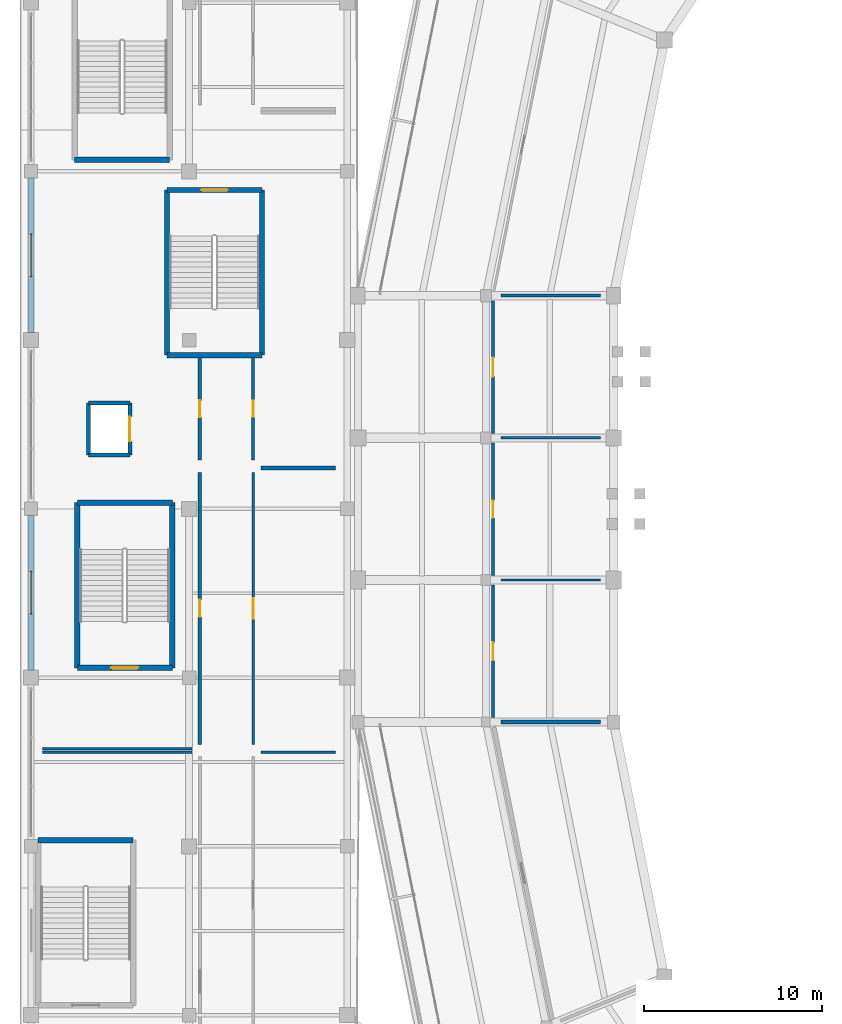
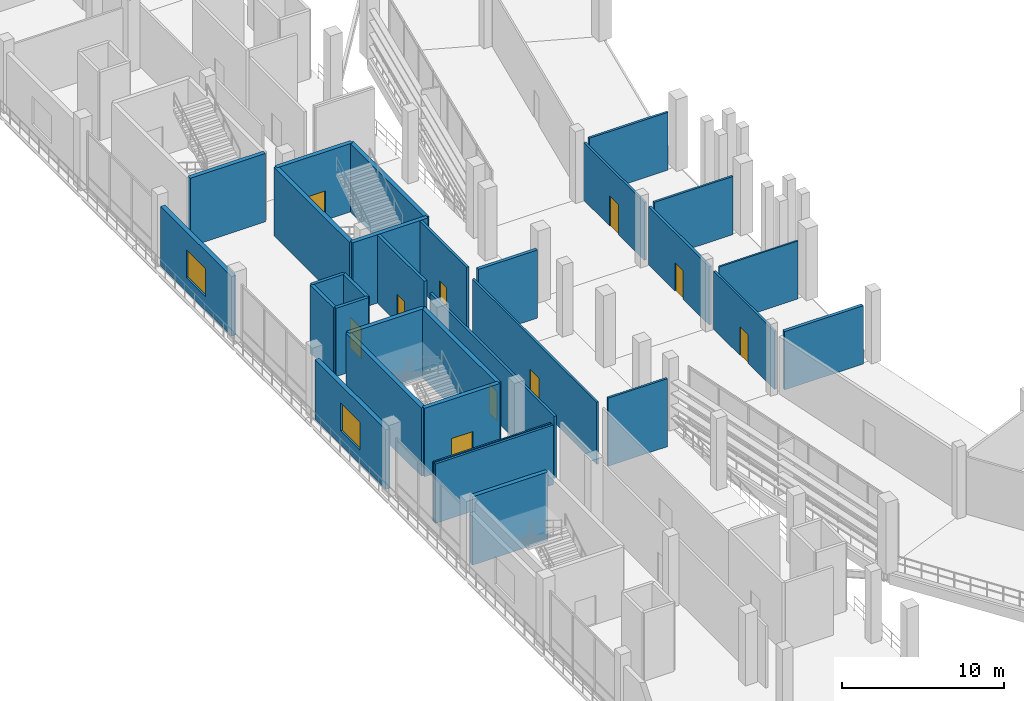
# One storey, part 74 of 114: 31 walls, 10 doors, 2 windows, 12 openings.
"""IFC4 building model written with IfcOpenShell, lengths in metres."""

from ifc_helpers import new_model, si_unit, direction, frame, frame_2d, origin, place, context, subcontext, project, spatial, rectangle, extrude, material, layer, layer_set, type_object, element, fill, save


model = new_model("IFC4")

# Units and contexts
model_context = context("Model", 3, precision=1e-05, world=origin(), true_north=direction((0.0, 1.0)))
body_context = subcontext(model_context, "Body", "Model", "MODEL_VIEW")
ifc_project = project(units=[si_unit("LENGTHUNIT", "METRE"), si_unit("AREAUNIT", "SQUARE_METRE"), si_unit("VOLUMEUNIT", "CUBIC_METRE"), si_unit("PLANEANGLEUNIT", "RADIAN"), si_unit("MASSUNIT", "GRAM", prefix="KILO")], contexts=[model_context])

# Site, building, storey
site_placement = place(None, origin())
site = spatial("IfcSite", under=ifc_project, at=site_placement, CompositionType="ELEMENT")
building_placement = place(site_placement, origin())
building = spatial("IfcBuilding", under=site, at=building_placement, Name="Candeia Ridge Stadium", CompositionType="ELEMENT")
storey_placement = place(building_placement, frame((0.0, 0.0, 5.39990234375)))
storey = spatial("IfcBuildingStorey", under=building, at=storey_placement, Name="L01", CompositionType="ELEMENT", Elevation=5.39990234375)

# Wall, opening, door
ifc_material_1 = material(Name="Gypsum Acoustic Twin-Stud Assembly", Category="gypsum")
ifc_layer_1 = layer(ifc_material_1, 0.159912109375, Name="Gypsum Acoustic Twin-Stud Assembly", Category="gypsum")
ifc_layer_set_1 = layer_set([ifc_layer_1], Name="Gypsum Acoustic Twin-Stud Assembly")
wall_type_1 = type_object("IfcWallType", Name="Club Dining Acoustic Partition 160", PredefinedType="PARTITIONING", material=ifc_layer_set_1)
wall_1_placement = place(storey_placement, frame((26.60009765625, 87.25, 0.0), z_axis=(0.0, 0.0, 1.0), x_axis=(0.0, 1.0, 0.0)))
wall_1 = element("IfcWall", 1, at=wall_1_placement, inside=storey, type_object=wall_type_1, Name="Interior partition PT-L01-0292", PredefinedType="PARTITIONING", context=body_context, shape_type="SweptSolid", body=[
    extrude(rectangle(XDim=7.4599609375, YDim=0.159912109375, at=frame_2d((3.72998046875, 0.0))), origin(), (0.0, 0.0, 1.0), 4.34521484375),
])
opening_1_placement = place(wall_1_placement, frame((3.18994140625, 0.0, 0.0)))
opening_1 = element("IfcOpeningElement", 2, at=opening_1_placement, cuts=wall_1, Name="Opening ID08", PredefinedType="OPENING", context=body_context, shape_type="SweptSolid", body=[
    extrude(rectangle(XDim=1.080078125, YDim=2.25, at=frame_2d((0.5400390625, 1.125))), frame((0.0, 0.08984375, 0.0), z_axis=(0.0, -1.0, 0.0), x_axis=(1.0, 0.0, 0.0)), (0.0, 0.0, 1.0), 0.179931640625),
])
ifc_material_2 = material(Name="Western Red Cedar Acoustic Veneer", Category="wood")
door_type_1 = type_object("IfcDoorType", Name="Executive Skybox Entry Door 1080x2250", OperationType="NOTDEFINED", PredefinedType="DOOR", material=ifc_material_2)
door_1_placement = place(opening_1_placement, origin())
door_1 = element("IfcDoor", 3, at=door_1_placement, inside=storey, type_object=door_type_1, Name="Interior room door D-L01-0151", OperationType="SINGLE_SWING_LEFT", OverallHeight=2.25, OverallWidth=1.080078125, PredefinedType="DOOR", context=body_context, shape_type="SweptSolid", body=[
    extrude(rectangle(XDim=1.080078125, YDim=2.25, at=frame_2d((0.5400390625, 1.125))), frame((0.0, 0.02490234375, 0.0), z_axis=(0.0, -1.0, 0.0), x_axis=(1.0, 0.0, 0.0)), (0.0, 0.0, 1.0), 0.050048828125),
])
fill(opening_1, door_1)

# Wall
ifc_material_3 = material(Name="Concrete Masonry Blockwork C25/30", Category="masonry")
ifc_layer_2 = layer(ifc_material_3, 0.14990234375, Name="Concrete Masonry Blockwork C25/30", Category="masonry")
ifc_layer_set_2 = layer_set([ifc_layer_2], Name="Concrete Masonry Blockwork C25/30")
wall_type_2 = type_object("IfcWallType", Name="Concourse Kiosk Partition 150", PredefinedType="PARTITIONING", material=ifc_layer_set_2)
wall_2_placement = place(storey_placement, frame((13.550048828125, 69.300048828125, 0.0), z_axis=(0.0, 0.0, 1.0), x_axis=(1.0, 0.0, 0.0)))
element("IfcWall", 4, at=wall_2_placement, inside=storey, type_object=wall_type_2, Name="Demising partition PT-L01-0181", PredefinedType="PARTITIONING", context=body_context, shape_type="SweptSolid", body=[
    extrude(rectangle(XDim=4.199951171875, YDim=0.14990234375, at=frame_2d((2.10009765625, 0.0))), origin(), (0.0, 0.0, 1.0), 5.1201171875),
])

# Wall, opening, door
wall_3_placement = place(storey_placement, frame((13.10009765625, 69.75, 0.0), z_axis=(0.0, 0.0, 1.0), x_axis=(0.0, 1.0, 0.0)))
wall_3 = element("IfcWall", 5, at=wall_3_placement, inside=storey, type_object=wall_type_2, Name="Interior partition PT-L01-0184", PredefinedType="PARTITIONING", context=body_context, shape_type="SweptSolid", body=[
    extrude(rectangle(XDim=15.300048828125, YDim=0.14990234375, at=frame_2d((7.64990234375, 0.0))), origin(), (0.0, 0.0, 1.0), 4.668212890625),
])
opening_2_placement = place(wall_3_placement, frame((7.074951171875, 0.0, 0.0)))
opening_2 = element("IfcOpeningElement", 6, at=opening_2_placement, cuts=wall_3, Name="Opening ID02", PredefinedType="OPENING", context=body_context, shape_type="SweptSolid", body=[
    extrude(rectangle(XDim=1.14990234375, YDim=2.199951171875, at=frame_2d((0.574951171875, 1.10009765625))), frame((0.0, 0.0849609375, 0.0), z_axis=(0.0, -1.0, 0.0), x_axis=(1.0, 0.0, 0.0)), (0.0, 0.0, 1.0), 0.169921875),
])
ifc_material_4 = material(Name="Acoustic Timber Studio Leaf", Category="wood")
door_type_2 = type_object("IfcDoorType", Name="Broadcast & Press Studio Door 1150x2200", OperationType="NOTDEFINED", PredefinedType="DOOR", material=ifc_material_4)
door_2_placement = place(opening_2_placement, origin())
door_2 = element("IfcDoor", 7, at=door_2_placement, inside=storey, type_object=door_type_2, Name="Interior room door D-L01-0096", OperationType="SINGLE_SWING_RIGHT", OverallHeight=2.199951171875, OverallWidth=1.14990234375, PredefinedType="DOOR", context=body_context, shape_type="SweptSolid", body=[
    extrude(rectangle(XDim=1.14990234375, YDim=2.199951171875, at=frame_2d((0.574951171875, 1.10009765625))), frame((0.0, 0.02490234375, 0.0), z_axis=(0.0, -1.0, 0.0), x_axis=(1.0, 0.0, 0.0)), (0.0, 0.0, 1.0), 0.050048828125),
])
fill(opening_2, door_2)

# Wall
wall_4_placement = place(storey_placement, frame((32.64990234375, 87.0, 0.0), z_axis=(0.0, 0.0, 1.0), x_axis=(-1.0, 0.0, 0.0)))
element("IfcWall", 8, at=wall_4_placement, inside=storey, type_object=wall_type_2, Name="Demising partition PT-L01-0293", PredefinedType="PARTITIONING", context=body_context, shape_type="SweptSolid", body=[
    extrude(rectangle(XDim=5.599853515625, YDim=0.14990234375, at=frame_2d((2.7998046875, 0.0))), origin(), (0.0, 0.0, 1.0), 4.375),
])

# Wall, opening, door
wall_5_placement = place(storey_placement, frame((26.60009765625, 71.25, 0.0), z_axis=(0.0, 0.0, 1.0), x_axis=(0.0, 1.0, 0.0)))
wall_5 = element("IfcWall", 9, at=wall_5_placement, inside=storey, type_object=wall_type_2, Name="Interior partition PT-L01-0296", PredefinedType="PARTITIONING", context=body_context, shape_type="SweptSolid", body=[
    extrude(rectangle(XDim=7.4599609375, YDim=0.14990234375, at=frame_2d((3.72998046875, 0.0))), origin(), (0.0, 0.0, 1.0), 4.364990234375),
])
opening_3_placement = place(wall_5_placement, frame((3.219970703125, 0.0, 0.0)))
opening_3 = element("IfcOpeningElement", 10, at=opening_3_placement, cuts=wall_5, Name="Opening ID16", PredefinedType="OPENING", context=body_context, shape_type="SweptSolid", body=[
    extrude(rectangle(XDim=1.02001953125, YDim=2.14990234375, at=frame_2d((0.510009765625, 1.074951171875))), frame((0.0, 0.0849609375, 0.0), z_axis=(0.0, -1.0, 0.0), x_axis=(1.0, 0.0, 0.0)), (0.0, 0.0, 1.0), 0.169921875),
])
ifc_material_5 = material(Name="Solid Core Cedar Veneer", Category="wood")
door_type_3 = type_object("IfcDoorType", Name="Community Classroom Door 1020x2150", OperationType="NOTDEFINED", PredefinedType="DOOR", material=ifc_material_5)
door_3_placement = place(opening_3_placement, frame((1.02001953125, 0.0, 0.0), z_axis=(0.0, 0.0, 1.0), x_axis=(-1.0, 0.0, 0.0)))
door_3 = element("IfcDoor", 11, at=door_3_placement, inside=storey, type_object=door_type_3, Name="Interior room door D-L01-0153", OperationType="SINGLE_SWING_LEFT", OverallHeight=2.14990234375, OverallWidth=1.02001953125, PredefinedType="DOOR", context=body_context, shape_type="SweptSolid", body=[
    extrude(rectangle(XDim=1.02001953125, YDim=2.14990234375, at=frame_2d((0.510009765625, 1.074951171875))), frame((0.0, 0.02490234375, 0.0), z_axis=(0.0, -1.0, 0.0), x_axis=(1.0, 0.0, 0.0)), (0.0, 0.0, 1.0), 0.050048828125),
])
fill(opening_3, door_3)

# Walls
ifc_material_6 = material(Name="Concrete C45/55", Category="concrete")
ifc_layer_3 = layer(ifc_material_6, 0.300048828125, Name="Concrete C45/55", Category="concrete")
ifc_layer_set_3 = layer_set([ifc_layer_3], Name="Concrete C45/55")
wall_type_3 = type_object("IfcWallType", Name="Core Shear Wall Concrete 300", PredefinedType="SHEAR", material=ifc_layer_set_3)
wall_6_placement = place(storey_placement, frame((6.349609375, 64.349609375, 0.0), z_axis=(0.0, 0.0, 1.0), x_axis=(-1.0, 0.0, 0.0)))
element("IfcWall", 12, at=wall_6_placement, inside=storey, type_object=wall_type_3, Name="Core C05 far shear wall L01", PredefinedType="SHEAR", context=body_context, shape_type="SweptSolid", body=[
    extrude(rectangle(XDim=5.34912109375, YDim=0.300048828125, at=frame_2d((2.674560546875, 0.0))), origin(), (0.0, 0.0, 1.0), 5.14013671875),
])
wall_7_placement = place(storey_placement, frame((3.05029296875, 102.650390625, 0.0), z_axis=(0.0, 0.0, 1.0), x_axis=(1.0, 0.0, 0.0)))
element("IfcWall", 13, at=wall_7_placement, inside=storey, type_object=wall_type_3, Name="Core C06 far shear wall L01", PredefinedType="SHEAR", context=body_context, shape_type="SweptSolid", body=[
    extrude(rectangle(XDim=5.349365234375, YDim=0.300048828125, at=frame_2d((2.6748046875, 0.0))), origin(), (0.0, 0.0, 1.0), 5.14013671875),
])
wall_8_placement = place(storey_placement, frame((8.549560546875, 74.05029296875, 0.0), z_axis=(0.0, 0.0, 1.0), x_axis=(0.0, 1.0, 0.0)))
element("IfcWall", 14, at=wall_8_placement, inside=storey, type_object=wall_type_3, Name="Core C07 left shear wall L01", PredefinedType="SHEAR", context=body_context, shape_type="SweptSolid", body=[
    extrude(rectangle(XDim=9.29931640625, YDim=0.300048828125, at=frame_2d((4.649658203125, 0.0))), origin(), (0.0, 0.0, 1.0), 5.14013671875),
])
wall_9_placement = place(storey_placement, frame((8.549560546875, 83.349609375, 0.0), z_axis=(0.0, 0.0, 1.0), x_axis=(-1.0, 0.0, 0.0)))
element("IfcWall", 15, at=wall_9_placement, inside=storey, type_object=wall_type_3, Name="Core C07 far shear wall L01", PredefinedType="SHEAR", context=body_context, shape_type="SweptSolid", body=[
    extrude(rectangle(XDim=5.34912109375, YDim=0.300048828125, at=frame_2d((2.674560546875, 0.0))), origin(), (0.0, 0.0, 1.0), 5.14013671875),
])
wall_10_placement = place(storey_placement, frame((3.200439453125, 83.349609375, 0.0), z_axis=(0.0, 0.0, 1.0), x_axis=(0.0, -1.0, 0.0)))
element("IfcWall", 16, at=wall_10_placement, inside=storey, type_object=wall_type_3, Name="Core C07 right shear wall L01", PredefinedType="SHEAR", context=body_context, shape_type="SweptSolid", body=[
    extrude(rectangle(XDim=9.29931640625, YDim=0.300048828125, at=frame_2d((4.649658203125, 0.0))), origin(), (0.0, 0.0, 1.0), 5.14013671875),
])

# Wall, opening, door
wall_11_placement = place(storey_placement, frame((3.200439453125, 74.05029296875, 0.0), z_axis=(0.0, 0.0, 1.0), x_axis=(1.0, 0.0, 0.0)))
wall_11 = element("IfcWall", 17, at=wall_11_placement, inside=storey, type_object=wall_type_3, Name="Core C07 near shear wall L01", PredefinedType="SHEAR", context=body_context, shape_type="SweptSolid", body=[
    extrude(rectangle(XDim=5.34912109375, YDim=0.300048828125, at=frame_2d((2.674560546875, 0.0))), origin(), (0.0, 0.0, 1.0), 5.14013671875),
])
opening_4_placement = place(wall_11_placement, frame((1.924560546875, 0.0, 0.0)))
opening_4 = element("IfcOpeningElement", 18, at=opening_4_placement, cuts=wall_11, Name="Opening FD01", PredefinedType="OPENING", context=body_context, shape_type="SweptSolid", body=[
    extrude(rectangle(XDim=1.5, YDim=2.199951171875, at=frame_2d((0.75, 1.10009765625))), frame((0.0, 0.159912109375, 0.0), z_axis=(0.0, -1.0, 0.0), x_axis=(1.0, 0.0, 0.0)), (0.0, 0.0, 1.0), 0.320068359375),
])
ifc_material_7 = material(Name="Galvanized Fire-Rated Steel", Category="steel")
door_type_4 = type_object("IfcDoorType", Name="Exit Stair Core Fire Door 1500x2200", OperationType="NOTDEFINED", PredefinedType="DOOR", material=ifc_material_7)
door_4_placement = place(opening_4_placement, origin())
door_4 = element("IfcDoor", 19, at=door_4_placement, inside=storey, type_object=door_type_4, Name="Exit stair fire door SD-ST07-L01", OperationType="DOUBLE_DOOR_SINGLE_SWING", OverallHeight=2.199951171875, OverallWidth=1.5, PredefinedType="DOOR", context=body_context, shape_type="SweptSolid", body=[
    extrude(rectangle(XDim=1.5, YDim=2.199951171875, at=frame_2d((0.75, 1.10009765625))), frame((0.0, 0.02490234375, 0.0), z_axis=(0.0, -1.0, 0.0), x_axis=(1.0, 0.0, 0.0)), (0.0, 0.0, 1.0), 0.050048828125),
])
fill(opening_4, door_4)

# Walls
wall_12_placement = place(storey_placement, frame((8.25048828125, 100.94970703125, 0.0), z_axis=(0.0, 0.0, 1.0), x_axis=(0.0, -1.0, 0.0)))
element("IfcWall", 20, at=wall_12_placement, inside=storey, type_object=wall_type_3, Name="Core C08 left shear wall L01", PredefinedType="SHEAR", context=body_context, shape_type="SweptSolid", body=[
    extrude(rectangle(XDim=9.29931640625, YDim=0.300048828125, at=frame_2d((4.649658203125, 0.0))), origin(), (0.0, 0.0, 1.0), 5.14013671875),
])
wall_13_placement = place(storey_placement, frame((8.25048828125, 91.650390625, 0.0), z_axis=(0.0, 0.0, 1.0), x_axis=(1.0, 0.0, 0.0)))
element("IfcWall", 21, at=wall_13_placement, inside=storey, type_object=wall_type_3, Name="Core C08 far shear wall L01", PredefinedType="SHEAR", context=body_context, shape_type="SweptSolid", body=[
    extrude(rectangle(XDim=5.34912109375, YDim=0.300048828125, at=frame_2d((2.674560546875, 0.0))), origin(), (0.0, 0.0, 1.0), 5.14013671875),
])
wall_14_placement = place(storey_placement, frame((13.599609375, 91.650390625, 0.0), z_axis=(0.0, 0.0, 1.0), x_axis=(0.0, 1.0, 0.0)))
element("IfcWall", 22, at=wall_14_placement, inside=storey, type_object=wall_type_3, Name="Core C08 right shear wall L01", PredefinedType="SHEAR", context=body_context, shape_type="SweptSolid", body=[
    extrude(rectangle(XDim=9.29931640625, YDim=0.300048828125, at=frame_2d((4.649658203125, 0.0))), origin(), (0.0, 0.0, 1.0), 5.14013671875),
])

# Wall, opening, door
wall_15_placement = place(storey_placement, frame((13.599609375, 100.94970703125, 0.0), z_axis=(0.0, 0.0, 1.0), x_axis=(-1.0, 0.0, 0.0)))
wall_15 = element("IfcWall", 23, at=wall_15_placement, inside=storey, type_object=wall_type_3, Name="Core C08 near shear wall L01", PredefinedType="SHEAR", context=body_context, shape_type="SweptSolid", body=[
    extrude(rectangle(XDim=5.34912109375, YDim=0.300048828125, at=frame_2d((2.674560546875, 0.0))), origin(), (0.0, 0.0, 1.0), 5.14013671875),
])
opening_5_placement = place(wall_15_placement, frame((1.924560546875, 0.0, 0.0)))
opening_5 = element("IfcOpeningElement", 24, at=opening_5_placement, cuts=wall_15, Name="Opening FD01", PredefinedType="OPENING", context=body_context, shape_type="SweptSolid", body=[
    extrude(rectangle(XDim=1.5, YDim=2.199951171875, at=frame_2d((0.75, 1.10009765625))), frame((0.0, 0.159912109375, 0.0), z_axis=(0.0, -1.0, 0.0), x_axis=(1.0, 0.0, 0.0)), (0.0, 0.0, 1.0), 0.320068359375),
])
door_5_placement = place(opening_5_placement, origin())
door_5 = element("IfcDoor", 25, at=door_5_placement, inside=storey, type_object=door_type_4, Name="Exit stair fire door SD-ST08-L01", OperationType="DOUBLE_DOOR_SINGLE_SWING", OverallHeight=2.199951171875, OverallWidth=1.5, PredefinedType="DOOR", context=body_context, shape_type="SweptSolid", body=[
    extrude(rectangle(XDim=1.5, YDim=2.199951171875, at=frame_2d((0.75, 1.10009765625))), frame((0.0, 0.02490234375, 0.0), z_axis=(0.0, -1.0, 0.0), x_axis=(1.0, 0.0, 0.0)), (0.0, 0.0, 1.0), 0.050048828125),
])
fill(opening_5, door_5)

ifc_layer_4 = layer(ifc_material_1, 0.179931640625, Name="Gypsum Acoustic Twin-Stud Assembly", Category="gypsum")
ifc_layer_set_4 = layer_set([ifc_layer_4], Name="Gypsum Acoustic Twin-Stud Assembly")
wall_type_4 = type_object("IfcWallType", Name="Corridor Fire Partition 180", PredefinedType="PARTITIONING", material=ifc_layer_set_4)
wall_16_placement = place(storey_placement, frame((10.10009765625, 85.050048828125, 0.0), z_axis=(0.0, 0.0, 1.0), x_axis=(0.0, -1.0, 0.0)))
wall_16 = element("IfcWall", 26, at=wall_16_placement, inside=storey, type_object=wall_type_4, Name="Interior partition PT-L01-0182", PredefinedType="PARTITIONING", context=body_context, shape_type="SweptSolid", body=[
    extrude(rectangle(XDim=15.300048828125, YDim=0.179931640625, at=frame_2d((7.64990234375, 0.0))), origin(), (0.0, 0.0, 1.0), 4.668212890625),
])
opening_6_placement = place(wall_16_placement, frame((7.169921875, 0.0, 0.0)))
opening_6 = element("IfcOpeningElement", 27, at=opening_6_placement, cuts=wall_16, Name="Opening ID17", PredefinedType="OPENING", context=body_context, shape_type="SweptSolid", body=[
    extrude(rectangle(XDim=0.9599609375, YDim=2.14990234375, at=frame_2d((0.47998046875, 1.074951171875))), frame((0.0, 0.099853515625, 0.0), z_axis=(0.0, -1.0, 0.0), x_axis=(1.0, 0.0, 0.0)), (0.0, 0.0, 1.0), 0.199951171875),
])
door_type_5 = type_object("IfcDoorType", Name="Ticketing Office Single Door 960x2150", OperationType="NOTDEFINED", PredefinedType="DOOR", material=ifc_material_5)
door_6_placement = place(opening_6_placement, origin())
door_6 = element("IfcDoor", 28, at=door_6_placement, inside=storey, type_object=door_type_5, Name="Interior room door D-L01-0095", OperationType="SINGLE_SWING_LEFT", OverallHeight=2.14990234375, OverallWidth=0.9599609375, PredefinedType="DOOR", context=body_context, shape_type="SweptSolid", body=[
    extrude(rectangle(XDim=0.9599609375, YDim=2.14990234375, at=frame_2d((0.47998046875, 1.074951171875))), frame((0.0, 0.02490234375, 0.0), z_axis=(0.0, -1.0, 0.0), x_axis=(1.0, 0.0, 0.0)), (0.0, 0.0, 1.0), 0.050048828125),
])
fill(opening_6, door_6)

# Walls
ifc_material_8 = material(Name="Moisture-Resistant Masonry & Tile", Category="masonry")
ifc_layer_5 = layer(ifc_material_8, 0.22998046875, Name="Moisture-Resistant Masonry & Tile", Category="masonry")
ifc_layer_set_5 = layer_set([ifc_layer_5], Name="Moisture-Resistant Masonry & Tile")
wall_type_5 = type_object("IfcWallType", Name="Dressing Suite Wet-Wall Chase 230", PredefinedType="PLUMBINGWALL", material=ifc_layer_set_5)
wall_17_placement = place(storey_placement, frame((13.550048828125, 85.300048828125, 0.0), z_axis=(0.0, 0.0, 1.0), x_axis=(1.0, 0.0, 0.0)))
element("IfcWall", 29, at=wall_17_placement, inside=storey, type_object=wall_type_5, Name="Demising partition PT-L01-0185", PredefinedType="PLUMBINGWALL", context=body_context, shape_type="SweptSolid", body=[
    extrude(rectangle(XDim=4.199951171875, YDim=0.22998046875, at=frame_2d((2.10009765625, 0.0))), origin(), (0.0, 0.0, 1.0), 5.1201171875),
])
wall_18_placement = place(storey_placement, frame((32.64990234375, 71.0, 0.0), z_axis=(0.0, 0.0, 1.0), x_axis=(-1.0, 0.0, 0.0)))
element("IfcWall", 30, at=wall_18_placement, inside=storey, type_object=wall_type_5, Name="Demising partition PT-L01-0297", PredefinedType="PLUMBINGWALL", context=body_context, shape_type="SweptSolid", body=[
    extrude(rectangle(XDim=5.599853515625, YDim=0.22998046875, at=frame_2d((2.7998046875, 0.0))), origin(), (0.0, 0.0, 1.0), 4.385009765625),
])

# Wall, opening, window
ifc_material_9 = material(Name="Concrete C35/45", Category="concrete")
ifc_layer_6 = layer(ifc_material_9, 0.320068359375, Name="Concrete C35/45", Category="concrete")
ifc_layer_set_6 = layer_set([ifc_layer_6], Name="Concrete C35/45")
wall_type_6 = type_object("IfcWallType", Name="Exterior Cedar-Clad Insulated Wall 320", PredefinedType="SOLIDWALL", material=ifc_layer_set_6)
wall_19_placement = place(storey_placement, frame((0.60009765625, 73.9130859375, 0.0), z_axis=(0.0, 0.0, 1.0), x_axis=(0.0, 1.0, 0.0)))
wall_19 = element("IfcWall", 31, at=wall_19_placement, inside=storey, type_object=wall_type_6, Name="Exterior facade wall EW-L01-0066", PredefinedType="SOLIDWALL", context=body_context, shape_type="SweptSolid", body=[
    extrude(rectangle(XDim=8.723876953125, YDim=0.320068359375, at=frame_2d((4.36181640625, 0.0))), origin(), (0.0, 0.0, 1.0), 4.47509765625),
])
opening_7_placement = place(wall_19_placement, frame((3.162109375, 0.0, 1.050048828125)))
opening_7 = element("IfcOpeningElement", 32, at=opening_7_placement, cuts=wall_19, Name="Opening W03", PredefinedType="OPENING", context=body_context, shape_type="SweptSolid", body=[
    extrude(rectangle(XDim=2.39990234375, YDim=2.10009765625, at=frame_2d((1.199951171875, 1.050048828125))), frame((0.0, 0.169921875, 0.0), z_axis=(0.0, -1.0, 0.0), x_axis=(1.0, 0.0, 0.0)), (0.0, 0.0, 1.0), 0.340087890625),
])
ifc_material_10 = material(Name="Tempered Solar-Control Double Glazing", Category="glass")
window_type = type_object("IfcWindowType", Name="Hospitality Ribbon Window 2400x2100", PartitioningType="SINGLE_PANEL", PredefinedType="WINDOW", material=ifc_material_10)
window_1_placement = place(opening_7_placement, origin())
window_1 = element("IfcWindow", 33, at=window_1_placement, inside=storey, type_object=window_type, Name="Exterior window WIN-L01-021", OverallHeight=2.10009765625, OverallWidth=2.39990234375, PartitioningType="SINGLE_PANEL", PredefinedType="WINDOW", context=body_context, shape_type="SweptSolid", body=[
    extrude(rectangle(XDim=2.39990234375, YDim=2.10009765625, at=frame_2d((1.199951171875, 1.050048828125))), frame((0.0, 0.030029296875, 0.0), z_axis=(0.0, -1.0, 0.0), x_axis=(1.0, 0.0, 0.0)), (0.0, 0.0, 1.0), 0.06005859375),
])
fill(opening_7, window_1)

wall_20_placement = place(storey_placement, frame((0.60009765625, 92.9130859375, 0.0), z_axis=(0.0, 0.0, 1.0), x_axis=(0.0, 1.0, 0.0)))
wall_20 = element("IfcWall", 34, at=wall_20_placement, inside=storey, type_object=wall_type_6, Name="Exterior facade wall EW-L01-0067", PredefinedType="SOLIDWALL", context=body_context, shape_type="SweptSolid", body=[
    extrude(rectangle(XDim=8.723876953125, YDim=0.320068359375, at=frame_2d((4.36181640625, 0.0))), origin(), (0.0, 0.0, 1.0), 4.47509765625),
])
opening_8_placement = place(wall_20_placement, frame((3.162109375, 0.0, 1.050048828125)))
opening_8 = element("IfcOpeningElement", 35, at=opening_8_placement, cuts=wall_20, Name="Opening W03", PredefinedType="OPENING", context=body_context, shape_type="SweptSolid", body=[
    extrude(rectangle(XDim=2.39990234375, YDim=2.10009765625, at=frame_2d((1.199951171875, 1.050048828125))), frame((0.0, 0.169921875, 0.0), z_axis=(0.0, -1.0, 0.0), x_axis=(1.0, 0.0, 0.0)), (0.0, 0.0, 1.0), 0.340087890625),
])
window_2_placement = place(opening_8_placement, origin())
window_2 = element("IfcWindow", 36, at=window_2_placement, inside=storey, type_object=window_type, Name="Exterior window WIN-L01-022", OverallHeight=2.10009765625, OverallWidth=2.39990234375, PartitioningType="SINGLE_PANEL", PredefinedType="WINDOW", context=body_context, shape_type="SweptSolid", body=[
    extrude(rectangle(XDim=2.39990234375, YDim=2.10009765625, at=frame_2d((1.199951171875, 1.050048828125))), frame((0.0, 0.030029296875, 0.0), z_axis=(0.0, -1.0, 0.0), x_axis=(1.0, 0.0, 0.0)), (0.0, 0.0, 1.0), 0.06005859375),
])
fill(opening_8, window_2)

# Walls
ifc_layer_7 = layer(ifc_material_1, 0.1650390625, Name="Gypsum Acoustic Twin-Stud Assembly", Category="gypsum")
ifc_layer_set_7 = layer_set([ifc_layer_7], Name="Gypsum Acoustic Twin-Stud Assembly")
wall_type_7 = type_object("IfcWallType", Name="Hospitality Suite Acoustic Wall 165", PredefinedType="PARTITIONING", material=ifc_layer_set_7)
wall_21_placement = place(storey_placement, frame((1.25, 69.300048828125, 0.0), z_axis=(0.0, 0.0, 1.0), x_axis=(1.0, 0.0, 0.0)))
element("IfcWall", 37, at=wall_21_placement, inside=storey, type_object=wall_type_7, Name="Demising partition PT-L01-0179", PredefinedType="PARTITIONING", context=body_context, shape_type="SweptSolid", body=[
    extrude(rectangle(XDim=8.39990234375, YDim=0.1650390625, at=frame_2d((4.199951171875, 0.0))), origin(), (0.0, 0.0, 1.0), 4.47509765625),
])
wall_22_placement = place(storey_placement, frame((32.64990234375, 95.0, 0.0), z_axis=(0.0, 0.0, 1.0), x_axis=(-1.0, 0.0, 0.0)))
element("IfcWall", 38, at=wall_22_placement, inside=storey, type_object=wall_type_7, Name="Demising partition PT-L01-0291", PredefinedType="PARTITIONING", context=body_context, shape_type="SweptSolid", body=[
    extrude(rectangle(XDim=5.599853515625, YDim=0.1650390625, at=frame_2d((2.7998046875, 0.0))), origin(), (0.0, 0.0, 1.0), 4.34521484375),
])
ifc_material_11 = material(Name="Concrete C40/50", Category="concrete")
ifc_layer_8 = layer(ifc_material_11, 0.219970703125, Name="Concrete C40/50", Category="concrete")
ifc_layer_set_8 = layer_set([ifc_layer_8], Name="Concrete C40/50")
wall_type_8 = type_object("IfcWallType", Name="Lift & Riser Shaft Wall 220", PredefinedType="SHEAR", material=ifc_layer_set_8)
wall_23_placement = place(storey_placement, frame((3.840087890625, 86.0400390625, 0.0), z_axis=(0.0, 0.0, 1.0), x_axis=(1.0, 0.0, 0.0)))
element("IfcWall", 39, at=wall_23_placement, inside=storey, type_object=wall_type_8, Name="Lift GL1 shaft wall L01 south", PredefinedType="SHEAR", context=body_context, shape_type="SweptSolid", body=[
    extrude(rectangle(XDim=2.31982421875, YDim=0.219970703125, at=frame_2d((1.159912109375, 0.0))), origin(), (0.0, 0.0, 1.0), 5.14013671875),
])

# Wall, opening, door
wall_24_placement = place(storey_placement, frame((6.159912109375, 86.0400390625, 0.0), z_axis=(0.0, 0.0, 1.0), x_axis=(0.0, 1.0, 0.0)))
wall_24 = element("IfcWall", 40, at=wall_24_placement, inside=storey, type_object=wall_type_8, Name="Lift GL1 shaft wall L01 east", PredefinedType="SHEAR", context=body_context, shape_type="SweptSolid", body=[
    extrude(rectangle(XDim=2.919921875, YDim=0.219970703125, at=frame_2d((1.4599609375, 0.0))), origin(), (0.0, 0.0, 1.0), 5.14013671875),
])
opening_9_placement = place(wall_24_placement, frame((0.760009765625, 0.0, 0.0)))
opening_9 = element("IfcOpeningElement", 41, at=opening_9_placement, cuts=wall_24, Name="Opening LD03", PredefinedType="OPENING", context=body_context, shape_type="SweptSolid", body=[
    extrude(rectangle(XDim=1.39990234375, YDim=2.300048828125, at=frame_2d((0.699951171875, 1.14990234375))), frame((0.0, 0.119873046875, 0.0), z_axis=(0.0, -1.0, 0.0), x_axis=(1.0, 0.0, 0.0)), (0.0, 0.0, 1.0), 0.239990234375),
])
ifc_material_12 = material(Name="Brushed Stainless Steel", Category="steel")
door_type_6 = type_object("IfcDoorType", Name="Goods Lift Landing Door 1400x2300", OperationType="NOTDEFINED", PredefinedType="DOOR", material=ifc_material_12)
door_7_placement = place(opening_9_placement, origin())
door_7 = element("IfcDoor", 42, at=door_7_placement, inside=storey, type_object=door_type_6, Name="Lift landing sliding door LD-GL1-L01", OperationType="DOUBLE_DOOR_SLIDING", OverallHeight=2.300048828125, OverallWidth=1.39990234375, PredefinedType="DOOR", context=body_context, shape_type="SweptSolid", body=[
    extrude(rectangle(XDim=1.39990234375, YDim=2.300048828125, at=frame_2d((0.699951171875, 1.14990234375))), frame((0.0, 0.02490234375, 0.0), z_axis=(0.0, -1.0, 0.0), x_axis=(1.0, 0.0, 0.0)), (0.0, 0.0, 1.0), 0.050048828125),
])
fill(opening_9, door_7)

# Walls
wall_25_placement = place(storey_placement, frame((6.159912109375, 88.9599609375, 0.0), z_axis=(0.0, 0.0, 1.0), x_axis=(-1.0, 0.0, 0.0)))
element("IfcWall", 43, at=wall_25_placement, inside=storey, type_object=wall_type_8, Name="Lift GL1 shaft wall L01 north", PredefinedType="SHEAR", context=body_context, shape_type="SweptSolid", body=[
    extrude(rectangle(XDim=2.31982421875, YDim=0.219970703125, at=frame_2d((1.159912109375, 0.0))), origin(), (0.0, 0.0, 1.0), 5.14013671875),
])
wall_26_placement = place(storey_placement, frame((3.840087890625, 88.9599609375, 0.0), z_axis=(0.0, 0.0, 1.0), x_axis=(0.0, -1.0, 0.0)))
element("IfcWall", 44, at=wall_26_placement, inside=storey, type_object=wall_type_8, Name="Lift GL1 shaft wall L01 west", PredefinedType="SHEAR", context=body_context, shape_type="SweptSolid", body=[
    extrude(rectangle(XDim=2.919921875, YDim=0.219970703125, at=frame_2d((1.4599609375, 0.0))), origin(), (0.0, 0.0, 1.0), 5.14013671875),
])

# Wall, opening, door
ifc_material_13 = material(Name="Gypsum Acoustic Triple-Board Wall", Category="gypsum")
ifc_layer_9 = layer(ifc_material_13, 0.18505859375, Name="Gypsum Acoustic Triple-Board Wall", Category="gypsum")
ifc_layer_set_9 = layer_set([ifc_layer_9], Name="Gypsum Acoustic Triple-Board Wall")
wall_type_9 = type_object("IfcWallType", Name="Media Booth Studio Divider 185", PredefinedType="PARTITIONING", material=ifc_layer_set_9)
wall_27_placement = place(storey_placement, frame((26.60009765625, 79.25, 0.0), z_axis=(0.0, 0.0, 1.0), x_axis=(0.0, 1.0, 0.0)))
wall_27 = element("IfcWall", 45, at=wall_27_placement, inside=storey, type_object=wall_type_9, Name="Interior partition PT-L01-0294", PredefinedType="PARTITIONING", context=body_context, shape_type="SweptSolid", body=[
    extrude(rectangle(XDim=7.4599609375, YDim=0.18505859375, at=frame_2d((3.72998046875, 0.0))), origin(), (0.0, 0.0, 1.0), 4.375),
])
opening_10_placement = place(wall_27_placement, frame((3.239990234375, 0.0, 0.0)))
opening_10 = element("IfcOpeningElement", 46, at=opening_10_placement, cuts=wall_27, Name="Opening ID12", PredefinedType="OPENING", context=body_context, shape_type="SweptSolid", body=[
    extrude(rectangle(XDim=0.97998046875, YDim=2.14990234375, at=frame_2d((0.489990234375, 1.074951171875))), frame((0.0, 0.1025390625, 0.0), z_axis=(0.0, -1.0, 0.0), x_axis=(1.0, 0.0, 0.0)), (0.0, 0.0, 1.0), 0.205078125),
])
door_type_7 = type_object("IfcDoorType", Name="Commentary Booth Acoustic Door 980x2150", OperationType="NOTDEFINED", PredefinedType="DOOR", material=ifc_material_4)
door_8_placement = place(opening_10_placement, origin())
door_8 = element("IfcDoor", 47, at=door_8_placement, inside=storey, type_object=door_type_7, Name="Interior room door D-L01-0152", OperationType="SINGLE_SWING_RIGHT", OverallHeight=2.14990234375, OverallWidth=0.97998046875, PredefinedType="DOOR", context=body_context, shape_type="SweptSolid", body=[
    extrude(rectangle(XDim=0.97998046875, YDim=2.14990234375, at=frame_2d((0.489990234375, 1.074951171875))), frame((0.0, 0.02490234375, 0.0), z_axis=(0.0, -1.0, 0.0), x_axis=(1.0, 0.0, 0.0)), (0.0, 0.0, 1.0), 0.050048828125),
])
fill(opening_10, door_8)

ifc_layer_10 = layer(ifc_material_1, 0.175048828125, Name="Gypsum Acoustic Twin-Stud Assembly", Category="gypsum")
ifc_layer_set_10 = layer_set([ifc_layer_10], Name="Gypsum Acoustic Twin-Stud Assembly")
wall_type_10 = type_object("IfcWallType", Name="Museum Acoustic Gallery Wall 175", PredefinedType="PARTITIONING", material=ifc_layer_set_10)
wall_28_placement = place(storey_placement, frame((13.10009765625, 85.75, 0.0), z_axis=(0.0, 0.0, 1.0), x_axis=(0.0, 1.0, 0.0)))
wall_28 = element("IfcWall", 48, at=wall_28_placement, inside=storey, type_object=wall_type_10, Name="Interior partition PT-L01-0187", PredefinedType="PARTITIONING", context=body_context, shape_type="SweptSolid", body=[
    extrude(rectangle(XDim=5.760009765625, YDim=0.175048828125, at=frame_2d((2.8798828125, 0.0))), origin(), (0.0, 0.0, 1.0), 5.1201171875),
])
opening_11_placement = place(wall_28_placement, frame((2.429931640625, 0.0, 0.0)))
opening_11 = element("IfcOpeningElement", 49, at=opening_11_placement, cuts=wall_28, Name="Opening ID07", PredefinedType="OPENING", context=body_context, shape_type="SweptSolid", body=[
    extrude(rectangle(XDim=0.89990234375, YDim=2.10009765625, at=frame_2d((0.449951171875, 1.050048828125))), frame((0.0, 0.097412109375, 0.0), z_axis=(0.0, -1.0, 0.0), x_axis=(1.0, 0.0, 0.0)), (0.0, 0.0, 1.0), 0.195068359375),
])
ifc_material_14 = material(Name="Moisture-Resistant Laminate", Category="wood")
door_type_8 = type_object("IfcDoorType", Name="Sanitary Lobby Single Door 900x2100", OperationType="NOTDEFINED", PredefinedType="DOOR", material=ifc_material_14)
door_9_placement = place(opening_11_placement, frame((0.89990234375, 0.0, 0.0), z_axis=(0.0, 0.0, 1.0), x_axis=(-1.0, 0.0, 0.0)))
door_9 = element("IfcDoor", 50, at=door_9_placement, inside=storey, type_object=door_type_8, Name="Interior room door D-L01-0098", OperationType="SINGLE_SWING_RIGHT", OverallHeight=2.10009765625, OverallWidth=0.89990234375, PredefinedType="DOOR", context=body_context, shape_type="SweptSolid", body=[
    extrude(rectangle(XDim=0.89990234375, YDim=2.10009765625, at=frame_2d((0.449951171875, 1.050048828125))), frame((0.0, 0.02490234375, 0.0), z_axis=(0.0, -1.0, 0.0), x_axis=(1.0, 0.0, 0.0)), (0.0, 0.0, 1.0), 0.050048828125),
])
fill(opening_11, door_9)

ifc_layer_11 = layer(ifc_material_8, 0.2099609375, Name="Moisture-Resistant Masonry & Tile", Category="masonry")
ifc_layer_set_11 = layer_set([ifc_layer_11], Name="Moisture-Resistant Masonry & Tile")
wall_type_11 = type_object("IfcWallType", Name="Sanitary Wet-Wall Plumbing Chase 210", PredefinedType="PLUMBINGWALL", material=ifc_layer_set_11)
wall_29_placement = place(storey_placement, frame((10.10009765625, 91.510009765625, 0.0), z_axis=(0.0, 0.0, 1.0), x_axis=(0.0, -1.0, 0.0)))
wall_29 = element("IfcWall", 51, at=wall_29_placement, inside=storey, type_object=wall_type_11, Name="Interior partition PT-L01-0186", PredefinedType="PLUMBINGWALL", context=body_context, shape_type="SweptSolid", body=[
    extrude(rectangle(XDim=5.760009765625, YDim=0.2099609375, at=frame_2d((2.8798828125, 0.0))), origin(), (0.0, 0.0, 1.0), 5.1201171875),
])
opening_12_placement = place(wall_29_placement, frame((2.405029296875, 0.0, 0.0)))
opening_12 = element("IfcOpeningElement", 52, at=opening_12_placement, cuts=wall_29, Name="Opening ID05", PredefinedType="OPENING", context=body_context, shape_type="SweptSolid", body=[
    extrude(rectangle(XDim=0.949951171875, YDim=2.14990234375, at=frame_2d((0.47509765625, 1.074951171875))), frame((0.0, 0.114990234375, 0.0), z_axis=(0.0, -1.0, 0.0), x_axis=(1.0, 0.0, 0.0)), (0.0, 0.0, 1.0), 0.22998046875),
])
door_type_9 = type_object("IfcDoorType", Name="General Room Single Door 950x2150", OperationType="NOTDEFINED", PredefinedType="DOOR", material=ifc_material_5)
door_10_placement = place(opening_12_placement, frame((0.949951171875, 0.0, 0.0), z_axis=(0.0, 0.0, 1.0), x_axis=(-1.0, 0.0, 0.0)))
door_10 = element("IfcDoor", 53, at=door_10_placement, inside=storey, type_object=door_type_9, Name="Interior room door D-L01-0097", OperationType="SINGLE_SWING_LEFT", OverallHeight=2.14990234375, OverallWidth=0.949951171875, PredefinedType="DOOR", context=body_context, shape_type="SweptSolid", body=[
    extrude(rectangle(XDim=0.949951171875, YDim=2.14990234375, at=frame_2d((0.47509765625, 1.074951171875))), frame((0.0, 0.02490234375, 0.0), z_axis=(0.0, -1.0, 0.0), x_axis=(1.0, 0.0, 0.0)), (0.0, 0.0, 1.0), 0.050048828125),
])
fill(opening_12, door_10)

# Walls
ifc_material_15 = material(Name="Gypsum Metal-Stud Partition", Category="gypsum")
ifc_layer_12 = layer(ifc_material_15, 0.1201171875, Name="Gypsum Metal-Stud Partition", Category="gypsum")
ifc_layer_set_12 = layer_set([ifc_layer_12], Name="Gypsum Metal-Stud Partition")
wall_type_12 = type_object("IfcWallType", Name="Suite Internal Divider 120", PredefinedType="PARTITIONING", material=ifc_layer_set_12)
wall_30_placement = place(storey_placement, frame((9.64990234375, 69.5, 0.0), z_axis=(0.0, 0.0, 1.0), x_axis=(-1.0, 0.0, 0.0)))
element("IfcWall", 54, at=wall_30_placement, inside=storey, type_object=wall_type_12, Name="Demising partition PT-L01-0183", PredefinedType="PARTITIONING", context=body_context, shape_type="SweptSolid", body=[
    extrude(rectangle(XDim=8.39990234375, YDim=0.1201171875, at=frame_2d((4.199951171875, 0.0))), origin(), (0.0, 0.0, 1.0), 4.47509765625),
])
wall_31_placement = place(storey_placement, frame((32.64990234375, 79.0, 0.0), z_axis=(0.0, 0.0, 1.0), x_axis=(-1.0, 0.0, 0.0)))
element("IfcWall", 55, at=wall_31_placement, inside=storey, type_object=wall_type_12, Name="Demising partition PT-L01-0295", PredefinedType="PARTITIONING", context=body_context, shape_type="SweptSolid", body=[
    extrude(rectangle(XDim=5.599853515625, YDim=0.1201171875, at=frame_2d((2.7998046875, 0.0))), origin(), (0.0, 0.0, 1.0), 4.364990234375),
])

save(model, "model.ifc")
